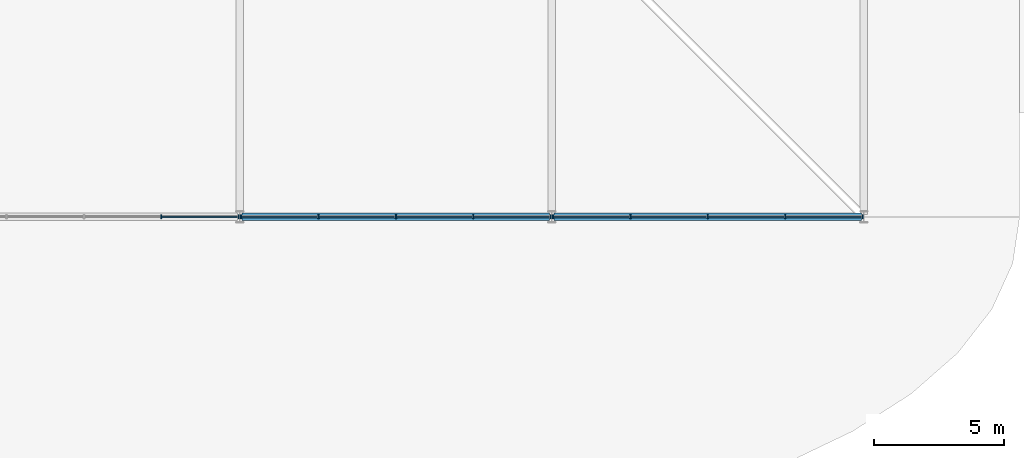
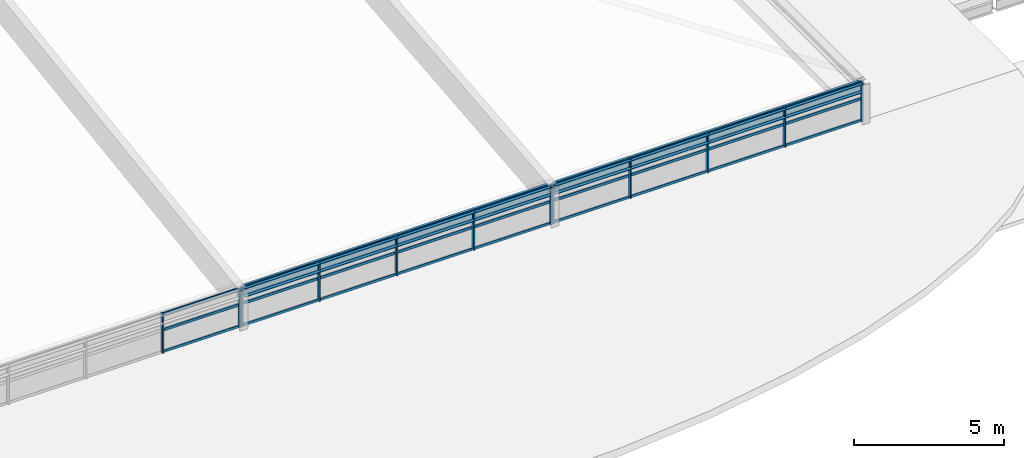
# One storey, part 70 of 80: 39 members, 2 beams, 3 elements without a shape of their own.
"""IFC4 building model written with IfcOpenShell, lengths in metres."""

from ifc_helpers import new_model, si_unit, direction, frame, origin, origin_2d, place, context, subcontext, project, spatial, rectangle, i_section, extrude, material, material_profile, profile_set, type_object, element, aggregate, save


model = new_model("IFC4")

# Units and contexts
model_context = context("Model", 3, precision=1e-05, world=origin(), true_north=direction((0.0, 1.0)))
body_context = subcontext(model_context, "Body", "Model", "MODEL_VIEW")
ifc_project = project(units=[si_unit("LENGTHUNIT", "METRE"), si_unit("AREAUNIT", "SQUARE_METRE"), si_unit("VOLUMEUNIT", "CUBIC_METRE"), si_unit("PLANEANGLEUNIT", "RADIAN"), si_unit("MASSUNIT", "GRAM", prefix="KILO"), si_unit("THERMODYNAMICTEMPERATUREUNIT", "KELVIN"), si_unit("POWERUNIT", "WATT")], contexts=[model_context])

# Site, building, storey
site_placement = place(None, origin())
site = spatial("IfcSite", under=ifc_project, at=site_placement, CompositionType="ELEMENT")
building_placement = place(site_placement, origin())
building = spatial("IfcBuilding", under=site, at=building_placement, Name="Solmara Park Aquatics Centre", CompositionType="ELEMENT")
storey_placement = place(building_placement, frame((0.0, 0.0, 22.800048828125)))
storey = spatial("IfcBuildingStorey", under=building, at=storey_placement, Name="RF", CompositionType="ELEMENT", Elevation=22.800048828125)

# Curtain wall, members
ifc_material_1 = material(Name="Anodised Aluminium Curtain Wall Framing", Category="aluminium")
curtain_wall_type = type_object("IfcCurtainWallType", Name="ARC-CW-SYS06", PredefinedType="USERDEFINED", material=ifc_material_1)
curtain_wall_1_placement = place(storey_placement, origin())
curtain_wall_1 = element("IfcCurtainWall", 1, at=curtain_wall_1_placement, inside=storey, type_object=curtain_wall_type, Name="Curtain Wall CW-085", ObjectType="CURTAIN WALL", PredefinedType="USERDEFINED")
ifc_material_2 = material(Name="Anodised Aluminium Alloy 6063-T6", Category="aluminium")
ifc_material_profile_1 = material_profile(ifc_material_2, rectangle(XDim=0.054931640625, YDim=0.139892578125, at=origin_2d()), Name="ALU MULLION 55x140")
ifc_profile_set_1 = profile_set([ifc_material_profile_1], Name="Anodised Aluminium Alloy 6063-T6")
member_type_1 = type_object("IfcMemberType", Name="ARC-CWM-55x140", PredefinedType="MULLION", material=ifc_profile_set_1)
member_1_placement = place(storey_placement, frame((128.97998046875, 12.60009765625, -8.080078125), z_axis=(0.0, 0.0, 1.0), x_axis=(1.0, 0.0, 0.0)))
member_1 = element("IfcMember", 2, at=member_1_placement, type_object=member_type_1, Name="CW-085 mullion 4", PredefinedType="MULLION", context=body_context, shape_type="SweptSolid", body=[
    extrude(rectangle(XDim=0.054931640625, YDim=0.139892578125, at=origin_2d()), origin(), (0.0, 0.0, 1.0), 1.60009765625),
])
member_2_placement = place(storey_placement, frame((131.9599609375, 12.60009765625, -8.080078125), z_axis=(0.0, 0.0, 1.0), x_axis=(1.0, 0.0, 0.0)))
member_2 = element("IfcMember", 3, at=member_2_placement, type_object=member_type_1, Name="CW-085 mullion 5", PredefinedType="MULLION", context=body_context, shape_type="SweptSolid", body=[
    extrude(rectangle(XDim=0.054931640625, YDim=0.139892578125, at=origin_2d()), origin(), (0.0, 0.0, 1.0), 1.60009765625),
])

curtain_wall_2_placement = place(storey_placement, origin())
curtain_wall_2 = element("IfcCurtainWall", 4, at=curtain_wall_2_placement, inside=storey, type_object=curtain_wall_type, Name="Curtain Wall CW-087", ObjectType="CURTAIN WALL", PredefinedType="USERDEFINED")
member_3_placement = place(storey_placement, frame((132.0400390625, 12.60009765625, -8.080078125), z_axis=(0.0, 0.0, 1.0), x_axis=(1.0, 0.0, 0.0)))
member_3 = element("IfcMember", 5, at=member_3_placement, type_object=member_type_1, Name="CW-087 mullion 1", PredefinedType="MULLION", context=body_context, shape_type="SweptSolid", body=[
    extrude(rectangle(XDim=0.054931640625, YDim=0.139892578125, at=origin_2d()), origin(), (0.0, 0.0, 1.0), 1.60009765625),
])
member_4_placement = place(storey_placement, frame((135.02001953125, 12.60009765625, -8.080078125), z_axis=(0.0, 0.0, 1.0), x_axis=(1.0, 0.0, 0.0)))
member_4 = element("IfcMember", 6, at=member_4_placement, type_object=member_type_1, Name="CW-087 mullion 2", PredefinedType="MULLION", context=body_context, shape_type="SweptSolid", body=[
    extrude(rectangle(XDim=0.054931640625, YDim=0.139892578125, at=origin_2d()), origin(), (0.0, 0.0, 1.0), 1.60009765625),
])
member_5_placement = place(storey_placement, frame((138.0, 12.60009765625, -8.080078125), z_axis=(0.0, 0.0, 1.0), x_axis=(1.0, 0.0, 0.0)))
member_5 = element("IfcMember", 7, at=member_5_placement, type_object=member_type_1, Name="CW-087 mullion 3", PredefinedType="MULLION", context=body_context, shape_type="SweptSolid", body=[
    extrude(rectangle(XDim=0.054931640625, YDim=0.139892578125, at=origin_2d()), origin(), (0.0, 0.0, 1.0), 1.60009765625),
])
member_6_placement = place(storey_placement, frame((140.97998046875, 12.60009765625, -8.080078125), z_axis=(0.0, 0.0, 1.0), x_axis=(1.0, 0.0, 0.0)))
member_6 = element("IfcMember", 8, at=member_6_placement, type_object=member_type_1, Name="CW-087 mullion 4", PredefinedType="MULLION", context=body_context, shape_type="SweptSolid", body=[
    extrude(rectangle(XDim=0.054931640625, YDim=0.139892578125, at=origin_2d()), origin(), (0.0, 0.0, 1.0), 1.60009765625),
])
member_7_placement = place(storey_placement, frame((143.9599609375, 12.60009765625, -8.080078125), z_axis=(0.0, 0.0, 1.0), x_axis=(1.0, 0.0, 0.0)))
member_7 = element("IfcMember", 9, at=member_7_placement, type_object=member_type_1, Name="CW-087 mullion 5", PredefinedType="MULLION", context=body_context, shape_type="SweptSolid", body=[
    extrude(rectangle(XDim=0.054931640625, YDim=0.139892578125, at=origin_2d()), origin(), (0.0, 0.0, 1.0), 1.60009765625),
])

curtain_wall_3_placement = place(storey_placement, origin())
curtain_wall_3 = element("IfcCurtainWall", 10, at=curtain_wall_3_placement, inside=storey, type_object=curtain_wall_type, Name="Curtain Wall CW-089", ObjectType="CURTAIN WALL", PredefinedType="USERDEFINED")
member_8_placement = place(storey_placement, frame((144.0400390625, 12.60009765625, -8.080078125), z_axis=(0.0, 0.0, 1.0), x_axis=(1.0, 0.0, 0.0)))
member_8 = element("IfcMember", 11, at=member_8_placement, type_object=member_type_1, Name="CW-089 mullion 1", PredefinedType="MULLION", context=body_context, shape_type="SweptSolid", body=[
    extrude(rectangle(XDim=0.054931640625, YDim=0.139892578125, at=origin_2d()), origin(), (0.0, 0.0, 1.0), 1.60009765625),
])
member_9_placement = place(storey_placement, frame((147.02001953125, 12.60009765625, -8.080078125), z_axis=(0.0, 0.0, 1.0), x_axis=(1.0, 0.0, 0.0)))
member_9 = element("IfcMember", 12, at=member_9_placement, type_object=member_type_1, Name="CW-089 mullion 2", PredefinedType="MULLION", context=body_context, shape_type="SweptSolid", body=[
    extrude(rectangle(XDim=0.054931640625, YDim=0.139892578125, at=origin_2d()), origin(), (0.0, 0.0, 1.0), 1.60009765625),
])
member_10_placement = place(storey_placement, frame((150.0, 12.60009765625, -8.080078125), z_axis=(0.0, 0.0, 1.0), x_axis=(1.0, 0.0, 0.0)))
member_10 = element("IfcMember", 13, at=member_10_placement, type_object=member_type_1, Name="CW-089 mullion 3", PredefinedType="MULLION", context=body_context, shape_type="SweptSolid", body=[
    extrude(rectangle(XDim=0.054931640625, YDim=0.139892578125, at=origin_2d()), origin(), (0.0, 0.0, 1.0), 1.60009765625),
])
member_11_placement = place(storey_placement, frame((152.97998046875, 12.60009765625, -8.080078125), z_axis=(0.0, 0.0, 1.0), x_axis=(1.0, 0.0, 0.0)))
member_11 = element("IfcMember", 14, at=member_11_placement, type_object=member_type_1, Name="CW-089 mullion 4", PredefinedType="MULLION", context=body_context, shape_type="SweptSolid", body=[
    extrude(rectangle(XDim=0.054931640625, YDim=0.139892578125, at=origin_2d()), origin(), (0.0, 0.0, 1.0), 1.60009765625),
])
member_12_placement = place(storey_placement, frame((155.9599609375, 12.60009765625, -8.080078125), z_axis=(0.0, 0.0, 1.0), x_axis=(1.0, 0.0, 0.0)))
member_12 = element("IfcMember", 15, at=member_12_placement, type_object=member_type_1, Name="CW-089 mullion 5", PredefinedType="MULLION", context=body_context, shape_type="SweptSolid", body=[
    extrude(rectangle(XDim=0.054931640625, YDim=0.139892578125, at=origin_2d()), origin(), (0.0, 0.0, 1.0), 1.60009765625),
])

# Member
ifc_material_profile_2 = material_profile(ifc_material_2, rectangle(XDim=0.054931640625, YDim=0.110107421875, at=origin_2d()), Name="ALU TRANSOM 55x110")
ifc_profile_set_2 = profile_set([ifc_material_profile_2], Name="Anodised Aluminium Alloy 6063-T6")
member_type_2 = type_object("IfcMemberType", Name="ARC-CWT-55x110", PredefinedType="USERDEFINED", material=ifc_profile_set_2)
member_13_placement = place(storey_placement, frame((129.0, 12.60009765625, -8.0400390625), z_axis=(1.0, 0.0, 0.0), x_axis=(0.0, 1.0, 0.0)))
member_13 = element("IfcMember", 16, at=member_13_placement, type_object=member_type_2, Name="CW-085 transom 10", ObjectType="TRANSOM", PredefinedType="USERDEFINED", context=body_context, shape_type="SweptSolid", body=[
    extrude(rectangle(XDim=0.054931640625, YDim=0.110107421875, at=origin_2d()), origin(), (0.0, 0.0, 1.0), 2.89990234375),
])

member_14_placement = place(storey_placement, frame((129.0, 12.60009765625, -7.152099609375), z_axis=(1.0, 0.0, 0.0), x_axis=(0.0, 1.0, 0.0)))
member_14 = element("IfcMember", 17, at=member_14_placement, type_object=member_type_2, Name="CW-085 transom 11", ObjectType="TRANSOM", PredefinedType="USERDEFINED", context=body_context, shape_type="SweptSolid", body=[
    extrude(rectangle(XDim=0.054931640625, YDim=0.110107421875, at=origin_2d()), origin(), (0.0, 0.0, 1.0), 2.89990234375),
])

member_15_placement = place(storey_placement, frame((129.0, 12.60009765625, -6.52001953125), z_axis=(1.0, 0.0, 0.0), x_axis=(0.0, 1.0, 0.0)))
member_15 = element("IfcMember", 18, at=member_15_placement, type_object=member_type_2, Name="CW-085 transom 12", ObjectType="TRANSOM", PredefinedType="USERDEFINED", context=body_context, shape_type="SweptSolid", body=[
    extrude(rectangle(XDim=0.054931640625, YDim=0.110107421875, at=origin_2d()), origin(), (0.0, 0.0, 1.0), 2.89990234375),
])

aggregate(curtain_wall_1, [member_1, member_2, member_13, member_14, member_15])

member_16_placement = place(storey_placement, frame((132.06005859375, 12.60009765625, -8.0400390625), z_axis=(1.0, 0.0, 0.0), x_axis=(0.0, 1.0, 0.0)))
member_16 = element("IfcMember", 19, at=member_16_placement, type_object=member_type_2, Name="CW-087 transom 1", ObjectType="TRANSOM", PredefinedType="USERDEFINED", context=body_context, shape_type="SweptSolid", body=[
    extrude(rectangle(XDim=0.054931640625, YDim=0.110107421875, at=origin_2d()), origin(), (0.0, 0.0, 1.0), 2.89990234375),
])

member_17_placement = place(storey_placement, frame((132.06005859375, 12.60009765625, -7.152099609375), z_axis=(1.0, 0.0, 0.0), x_axis=(0.0, 1.0, 0.0)))
member_17 = element("IfcMember", 20, at=member_17_placement, type_object=member_type_2, Name="CW-087 transom 2", ObjectType="TRANSOM", PredefinedType="USERDEFINED", context=body_context, shape_type="SweptSolid", body=[
    extrude(rectangle(XDim=0.054931640625, YDim=0.110107421875, at=origin_2d()), origin(), (0.0, 0.0, 1.0), 2.89990234375),
])

member_18_placement = place(storey_placement, frame((132.06005859375, 12.60009765625, -6.52001953125), z_axis=(1.0, 0.0, 0.0), x_axis=(0.0, 1.0, 0.0)))
member_18 = element("IfcMember", 21, at=member_18_placement, type_object=member_type_2, Name="CW-087 transom 3", ObjectType="TRANSOM", PredefinedType="USERDEFINED", context=body_context, shape_type="SweptSolid", body=[
    extrude(rectangle(XDim=0.054931640625, YDim=0.110107421875, at=origin_2d()), origin(), (0.0, 0.0, 1.0), 2.89990234375),
])

member_19_placement = place(storey_placement, frame((135.0400390625, 12.60009765625, -8.0400390625), z_axis=(1.0, 0.0, 0.0), x_axis=(0.0, 1.0, 0.0)))
member_19 = element("IfcMember", 22, at=member_19_placement, type_object=member_type_2, Name="CW-087 transom 4", ObjectType="TRANSOM", PredefinedType="USERDEFINED", context=body_context, shape_type="SweptSolid", body=[
    extrude(rectangle(XDim=0.054931640625, YDim=0.110107421875, at=origin_2d()), origin(), (0.0, 0.0, 1.0), 2.89990234375),
])

member_20_placement = place(storey_placement, frame((135.0400390625, 12.60009765625, -7.152099609375), z_axis=(1.0, 0.0, 0.0), x_axis=(0.0, 1.0, 0.0)))
member_20 = element("IfcMember", 23, at=member_20_placement, type_object=member_type_2, Name="CW-087 transom 5", ObjectType="TRANSOM", PredefinedType="USERDEFINED", context=body_context, shape_type="SweptSolid", body=[
    extrude(rectangle(XDim=0.054931640625, YDim=0.110107421875, at=origin_2d()), origin(), (0.0, 0.0, 1.0), 2.89990234375),
])

member_21_placement = place(storey_placement, frame((135.0400390625, 12.60009765625, -6.52001953125), z_axis=(1.0, 0.0, 0.0), x_axis=(0.0, 1.0, 0.0)))
member_21 = element("IfcMember", 24, at=member_21_placement, type_object=member_type_2, Name="CW-087 transom 6", ObjectType="TRANSOM", PredefinedType="USERDEFINED", context=body_context, shape_type="SweptSolid", body=[
    extrude(rectangle(XDim=0.054931640625, YDim=0.110107421875, at=origin_2d()), origin(), (0.0, 0.0, 1.0), 2.89990234375),
])

member_22_placement = place(storey_placement, frame((138.02001953125, 12.60009765625, -8.0400390625), z_axis=(1.0, 0.0, 0.0), x_axis=(0.0, 1.0, 0.0)))
member_22 = element("IfcMember", 25, at=member_22_placement, type_object=member_type_2, Name="CW-087 transom 7", ObjectType="TRANSOM", PredefinedType="USERDEFINED", context=body_context, shape_type="SweptSolid", body=[
    extrude(rectangle(XDim=0.054931640625, YDim=0.110107421875, at=origin_2d()), origin(), (0.0, 0.0, 1.0), 2.89990234375),
])

member_23_placement = place(storey_placement, frame((138.02001953125, 12.60009765625, -7.152099609375), z_axis=(1.0, 0.0, 0.0), x_axis=(0.0, 1.0, 0.0)))
member_23 = element("IfcMember", 26, at=member_23_placement, type_object=member_type_2, Name="CW-087 transom 8", ObjectType="TRANSOM", PredefinedType="USERDEFINED", context=body_context, shape_type="SweptSolid", body=[
    extrude(rectangle(XDim=0.054931640625, YDim=0.110107421875, at=origin_2d()), origin(), (0.0, 0.0, 1.0), 2.89990234375),
])

member_24_placement = place(storey_placement, frame((138.02001953125, 12.60009765625, -6.52001953125), z_axis=(1.0, 0.0, 0.0), x_axis=(0.0, 1.0, 0.0)))
member_24 = element("IfcMember", 27, at=member_24_placement, type_object=member_type_2, Name="CW-087 transom 9", ObjectType="TRANSOM", PredefinedType="USERDEFINED", context=body_context, shape_type="SweptSolid", body=[
    extrude(rectangle(XDim=0.054931640625, YDim=0.110107421875, at=origin_2d()), origin(), (0.0, 0.0, 1.0), 2.89990234375),
])

member_25_placement = place(storey_placement, frame((141.0, 12.60009765625, -8.0400390625), z_axis=(1.0, 0.0, 0.0), x_axis=(0.0, 1.0, 0.0)))
member_25 = element("IfcMember", 28, at=member_25_placement, type_object=member_type_2, Name="CW-087 transom 10", ObjectType="TRANSOM", PredefinedType="USERDEFINED", context=body_context, shape_type="SweptSolid", body=[
    extrude(rectangle(XDim=0.054931640625, YDim=0.110107421875, at=origin_2d()), origin(), (0.0, 0.0, 1.0), 2.89990234375),
])

member_26_placement = place(storey_placement, frame((141.0, 12.60009765625, -7.152099609375), z_axis=(1.0, 0.0, 0.0), x_axis=(0.0, 1.0, 0.0)))
member_26 = element("IfcMember", 29, at=member_26_placement, type_object=member_type_2, Name="CW-087 transom 11", ObjectType="TRANSOM", PredefinedType="USERDEFINED", context=body_context, shape_type="SweptSolid", body=[
    extrude(rectangle(XDim=0.054931640625, YDim=0.110107421875, at=origin_2d()), origin(), (0.0, 0.0, 1.0), 2.89990234375),
])

member_27_placement = place(storey_placement, frame((141.0, 12.60009765625, -6.52001953125), z_axis=(1.0, 0.0, 0.0), x_axis=(0.0, 1.0, 0.0)))
member_27 = element("IfcMember", 30, at=member_27_placement, type_object=member_type_2, Name="CW-087 transom 12", ObjectType="TRANSOM", PredefinedType="USERDEFINED", context=body_context, shape_type="SweptSolid", body=[
    extrude(rectangle(XDim=0.054931640625, YDim=0.110107421875, at=origin_2d()), origin(), (0.0, 0.0, 1.0), 2.89990234375),
])

aggregate(curtain_wall_2, [member_3, member_4, member_5, member_6, member_7, member_16, member_17, member_18, member_19, member_20, member_21, member_22, member_23, member_24, member_25, member_26, member_27])

member_28_placement = place(storey_placement, frame((144.06005859375, 12.60009765625, -8.0400390625), z_axis=(1.0, 0.0, 0.0), x_axis=(0.0, 1.0, 0.0)))
member_28 = element("IfcMember", 31, at=member_28_placement, type_object=member_type_2, Name="CW-089 transom 1", ObjectType="TRANSOM", PredefinedType="USERDEFINED", context=body_context, shape_type="SweptSolid", body=[
    extrude(rectangle(XDim=0.054931640625, YDim=0.110107421875, at=origin_2d()), origin(), (0.0, 0.0, 1.0), 2.89990234375),
])

member_29_placement = place(storey_placement, frame((144.06005859375, 12.60009765625, -7.152099609375), z_axis=(1.0, 0.0, 0.0), x_axis=(0.0, 1.0, 0.0)))
member_29 = element("IfcMember", 32, at=member_29_placement, type_object=member_type_2, Name="CW-089 transom 2", ObjectType="TRANSOM", PredefinedType="USERDEFINED", context=body_context, shape_type="SweptSolid", body=[
    extrude(rectangle(XDim=0.054931640625, YDim=0.110107421875, at=origin_2d()), origin(), (0.0, 0.0, 1.0), 2.89990234375),
])

member_30_placement = place(storey_placement, frame((144.06005859375, 12.60009765625, -6.52001953125), z_axis=(1.0, 0.0, 0.0), x_axis=(0.0, 1.0, 0.0)))
member_30 = element("IfcMember", 33, at=member_30_placement, type_object=member_type_2, Name="CW-089 transom 3", ObjectType="TRANSOM", PredefinedType="USERDEFINED", context=body_context, shape_type="SweptSolid", body=[
    extrude(rectangle(XDim=0.054931640625, YDim=0.110107421875, at=origin_2d()), origin(), (0.0, 0.0, 1.0), 2.89990234375),
])

member_31_placement = place(storey_placement, frame((147.0400390625, 12.60009765625, -8.0400390625), z_axis=(1.0, 0.0, 0.0), x_axis=(0.0, 1.0, 0.0)))
member_31 = element("IfcMember", 34, at=member_31_placement, type_object=member_type_2, Name="CW-089 transom 4", ObjectType="TRANSOM", PredefinedType="USERDEFINED", context=body_context, shape_type="SweptSolid", body=[
    extrude(rectangle(XDim=0.054931640625, YDim=0.110107421875, at=origin_2d()), origin(), (0.0, 0.0, 1.0), 2.89990234375),
])

member_32_placement = place(storey_placement, frame((147.0400390625, 12.60009765625, -7.152099609375), z_axis=(1.0, 0.0, 0.0), x_axis=(0.0, 1.0, 0.0)))
member_32 = element("IfcMember", 35, at=member_32_placement, type_object=member_type_2, Name="CW-089 transom 5", ObjectType="TRANSOM", PredefinedType="USERDEFINED", context=body_context, shape_type="SweptSolid", body=[
    extrude(rectangle(XDim=0.054931640625, YDim=0.110107421875, at=origin_2d()), origin(), (0.0, 0.0, 1.0), 2.89990234375),
])

member_33_placement = place(storey_placement, frame((147.0400390625, 12.60009765625, -6.52001953125), z_axis=(1.0, 0.0, 0.0), x_axis=(0.0, 1.0, 0.0)))
member_33 = element("IfcMember", 36, at=member_33_placement, type_object=member_type_2, Name="CW-089 transom 6", ObjectType="TRANSOM", PredefinedType="USERDEFINED", context=body_context, shape_type="SweptSolid", body=[
    extrude(rectangle(XDim=0.054931640625, YDim=0.110107421875, at=origin_2d()), origin(), (0.0, 0.0, 1.0), 2.89990234375),
])

member_34_placement = place(storey_placement, frame((150.02001953125, 12.60009765625, -8.0400390625), z_axis=(1.0, 0.0, 0.0), x_axis=(0.0, 1.0, 0.0)))
member_34 = element("IfcMember", 37, at=member_34_placement, type_object=member_type_2, Name="CW-089 transom 7", ObjectType="TRANSOM", PredefinedType="USERDEFINED", context=body_context, shape_type="SweptSolid", body=[
    extrude(rectangle(XDim=0.054931640625, YDim=0.110107421875, at=origin_2d()), origin(), (0.0, 0.0, 1.0), 2.89990234375),
])

member_35_placement = place(storey_placement, frame((150.02001953125, 12.60009765625, -7.152099609375), z_axis=(1.0, 0.0, 0.0), x_axis=(0.0, 1.0, 0.0)))
member_35 = element("IfcMember", 38, at=member_35_placement, type_object=member_type_2, Name="CW-089 transom 8", ObjectType="TRANSOM", PredefinedType="USERDEFINED", context=body_context, shape_type="SweptSolid", body=[
    extrude(rectangle(XDim=0.054931640625, YDim=0.110107421875, at=origin_2d()), origin(), (0.0, 0.0, 1.0), 2.89990234375),
])

member_36_placement = place(storey_placement, frame((150.02001953125, 12.60009765625, -6.52001953125), z_axis=(1.0, 0.0, 0.0), x_axis=(0.0, 1.0, 0.0)))
member_36 = element("IfcMember", 39, at=member_36_placement, type_object=member_type_2, Name="CW-089 transom 9", ObjectType="TRANSOM", PredefinedType="USERDEFINED", context=body_context, shape_type="SweptSolid", body=[
    extrude(rectangle(XDim=0.054931640625, YDim=0.110107421875, at=origin_2d()), origin(), (0.0, 0.0, 1.0), 2.89990234375),
])

member_37_placement = place(storey_placement, frame((153.0, 12.60009765625, -8.0400390625), z_axis=(1.0, 0.0, 0.0), x_axis=(0.0, 1.0, 0.0)))
member_37 = element("IfcMember", 40, at=member_37_placement, type_object=member_type_2, Name="CW-089 transom 10", ObjectType="TRANSOM", PredefinedType="USERDEFINED", context=body_context, shape_type="SweptSolid", body=[
    extrude(rectangle(XDim=0.054931640625, YDim=0.110107421875, at=origin_2d()), origin(), (0.0, 0.0, 1.0), 2.89990234375),
])

member_38_placement = place(storey_placement, frame((153.0, 12.60009765625, -7.152099609375), z_axis=(1.0, 0.0, 0.0), x_axis=(0.0, 1.0, 0.0)))
member_38 = element("IfcMember", 41, at=member_38_placement, type_object=member_type_2, Name="CW-089 transom 11", ObjectType="TRANSOM", PredefinedType="USERDEFINED", context=body_context, shape_type="SweptSolid", body=[
    extrude(rectangle(XDim=0.054931640625, YDim=0.110107421875, at=origin_2d()), origin(), (0.0, 0.0, 1.0), 2.89990234375),
])

member_39_placement = place(storey_placement, frame((153.0, 12.60009765625, -6.52001953125), z_axis=(1.0, 0.0, 0.0), x_axis=(0.0, 1.0, 0.0)))
member_39 = element("IfcMember", 42, at=member_39_placement, type_object=member_type_2, Name="CW-089 transom 12", ObjectType="TRANSOM", PredefinedType="USERDEFINED", context=body_context, shape_type="SweptSolid", body=[
    extrude(rectangle(XDim=0.054931640625, YDim=0.110107421875, at=origin_2d()), origin(), (0.0, 0.0, 1.0), 2.89990234375),
])

aggregate(curtain_wall_3, [member_8, member_9, member_10, member_11, member_12, member_28, member_29, member_30, member_31, member_32, member_33, member_34, member_35, member_36, member_37, member_38, member_39])

# Beams
ifc_material_3 = material(Name="Structural Steel S355", Category="steel")
ifc_material_profile_3 = material_profile(ifc_material_3, i_section(OverallWidth=0.300048828125, OverallDepth=0.35009765625, WebThickness=0.010009765625, FlangeThickness=0.017578125, FilletRadius=0.027099609375, at=origin_2d()), Name="HEA 360")
ifc_profile_set_3 = profile_set([ifc_material_profile_3], Name="Structural Steel S355")
beam_type = type_object("IfcBeamType", Name="STR-BM-HEA360", PredefinedType="BEAM", material=ifc_profile_set_3)
for number, where, z_axis, x_axis, name in (
    (43, (132.080078125, 12.60009765625, -6.66015625), (1.0, 0.0, 0.0), (0.0, 1.0, 0.0), "Diving Clerestory Ring Beam 132-12"),
    (44, (144.080078125, 12.60009765625, -6.66015625), (1.0, 0.0, 0.0), (0.0, 1.0, 0.0), "Diving Clerestory Ring Beam 144-12"),
):
    element("IfcBeam", number, at=place(storey_placement, frame(where, z_axis=z_axis, x_axis=x_axis)), inside=storey, type_object=beam_type, Name=name, PredefinedType="BEAM", context=body_context, shape_type="SweptSolid", body=[
        extrude(i_section(OverallWidth=0.300048828125, OverallDepth=0.35009765625, WebThickness=0.010009765625, FlangeThickness=0.017578125, FilletRadius=0.027099609375, at=origin_2d()), origin(), (0.0, 0.0, 1.0), 11.83984375),
    ])

save(model, "model.ifc")
